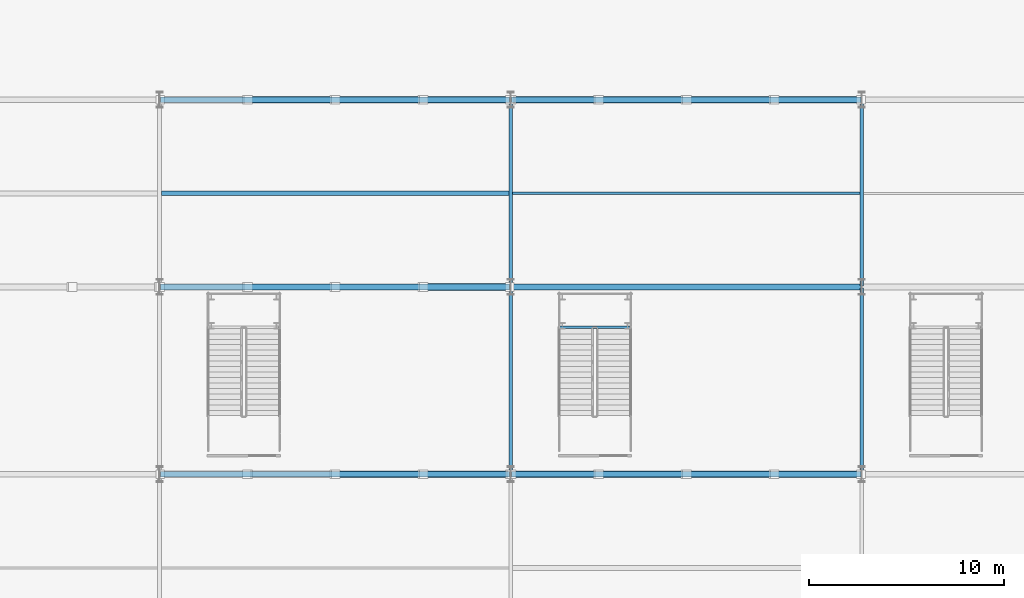
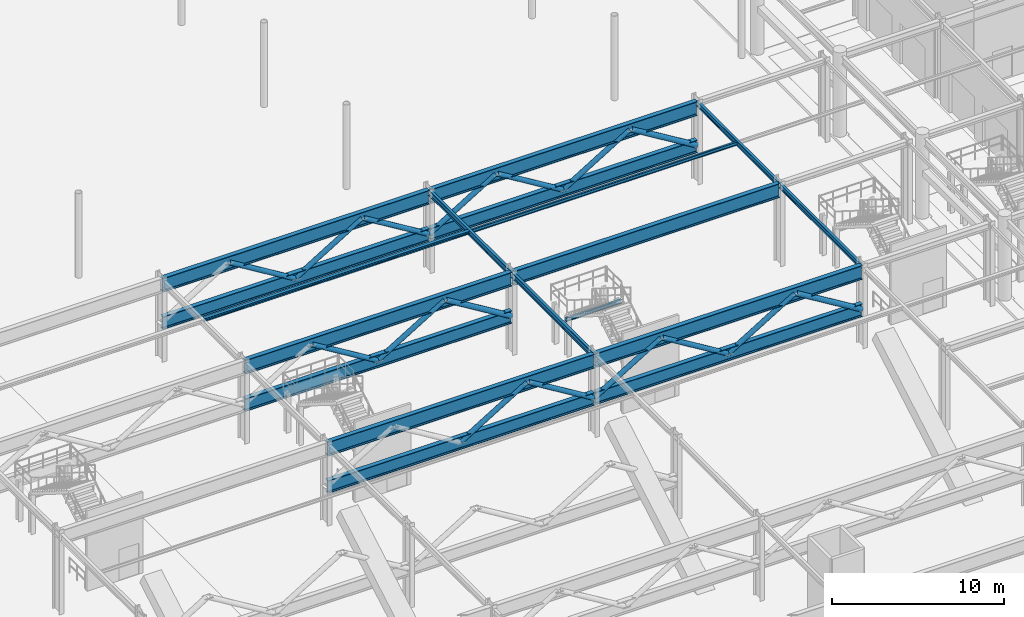
# One storey, part 37 of 113: 21 members, 13 beams.
"""IFC4 building model written with IfcOpenShell, lengths in metres."""

from ifc_helpers import new_model, si_unit, direction, frame, origin, origin_2d, place, context, subcontext, project, spatial, hollow_circle, i_section, extrude, material, material_profile, profile_set, type_object, element, save


model = new_model("IFC4")

# Units and contexts
model_context = context("Model", 3, precision=1e-05, world=origin(), true_north=direction((0.0, 1.0)))
body_context = subcontext(model_context, "Body", "Model", "MODEL_VIEW")
ifc_project = project(units=[si_unit("LENGTHUNIT", "METRE"), si_unit("AREAUNIT", "SQUARE_METRE"), si_unit("VOLUMEUNIT", "CUBIC_METRE"), si_unit("PLANEANGLEUNIT", "RADIAN"), si_unit("MASSUNIT", "GRAM", prefix="KILO")], contexts=[model_context])

# Site, building, storey
site_placement = place(None, origin())
site = spatial("IfcSite", under=ifc_project, at=site_placement, CompositionType="ELEMENT")
building_placement = place(site_placement, origin())
building = spatial("IfcBuilding", under=site, at=building_placement, Name="Myrtia Square Station", CompositionType="ELEMENT")
storey_placement = place(building_placement, origin())
storey = spatial("IfcBuildingStorey", under=building, at=storey_placement, Name="L00", CompositionType="ELEMENT", Elevation=0.0)

# Beams
ifc_material = material(Name="Steel S355", Category="steel")
ifc_material_profile_1 = material_profile(ifc_material, i_section(OverallWidth=0.135009765625, OverallDepth=0.27001953125, WebThickness=0.006591796875, FlangeThickness=0.01025390625, FilletRadius=0.014892578125, at=origin_2d()), Name="IPE 270")
ifc_profile_set_1 = profile_set([ifc_material_profile_1], Name="Steel S355")
beam_type_1 = type_object("IfcBeamType", Name="BM-IPE270", PredefinedType="BEAM", material=ifc_profile_set_1)
beam_1_placement = place(storey_placement, frame((47.43994140625, 74.739990234375, 2.6650390625), z_axis=(1.0, 0.0, 0.0), x_axis=(0.0, 1.0, 0.0)))
element("IfcBeam", 1, at=beam_1_placement, inside=storey, type_object=beam_type_1, Name="Interchange stair landing bearer 3", PredefinedType="BEAM", context=body_context, shape_type="SweptSolid", body=[
    extrude(i_section(OverallWidth=0.135009765625, OverallDepth=0.27001953125, WebThickness=0.006591796875, FlangeThickness=0.01025390625, FilletRadius=0.014892578125, at=origin_2d()), origin(), (0.0, 0.0, 1.0), 3.760009765625),
])
ifc_material_profile_2 = material_profile(ifc_material, i_section(OverallWidth=0.169921875, OverallDepth=0.360107421875, WebThickness=0.008056640625, FlangeThickness=0.0126953125, FilletRadius=0.01806640625, at=origin_2d()), Name="IPE 360")
ifc_profile_set_2 = profile_set([ifc_material_profile_2], Name="Steel S355")
beam_type_2 = type_object("IfcBeamType", Name="BM-IPE360", PredefinedType="BEAM", material=ifc_profile_set_2)
for number, where, z_axis, x_axis, name in (
    (2, (63.0, 67.25, 5.56005859375), (0.0, 1.0, 0.0), (-1.0, 0.0, 0.0), "Structural girder BMY-L00-0275"),
    (3, (63.0, 76.85009765625, 5.56005859375), (0.0, 1.0, 0.0), (-1.0, 0.0, 0.0), "Structural girder BMY-L00-0276"),
):
    element("IfcBeam", number, at=place(storey_placement, frame(where, z_axis=z_axis, x_axis=x_axis)), inside=storey, type_object=beam_type_2, Name=name, PredefinedType="BEAM", context=body_context, shape_type="SweptSolid", body=[
        extrude(i_section(OverallWidth=0.169921875, OverallDepth=0.360107421875, WebThickness=0.008056640625, FlangeThickness=0.0126953125, FilletRadius=0.01806640625, at=origin_2d()), origin(), (0.0, 0.0, 1.0), 9.5),
    ])
ifc_material_profile_3 = material_profile(ifc_material, i_section(OverallWidth=0.179931640625, OverallDepth=0.39990234375, WebThickness=0.008544921875, FlangeThickness=0.013427734375, FilletRadius=0.02099609375, at=origin_2d()), Name="IPE 400")
ifc_profile_set_3 = profile_set([ifc_material_profile_3], Name="Steel S355")
beam_type_3 = type_object("IfcBeamType", Name="BM-IPE400", PredefinedType="BEAM", material=ifc_profile_set_3)
for number, where, z_axis, x_axis, name in (
    (4, (45.0, 67.25, 5.5400390625), (0.0, 1.0, 0.0), (-1.0, 0.0, 0.0), "Structural girder BMY-L00-0270"),
    (5, (45.0, 76.85009765625, 5.5400390625), (0.0, 1.0, 0.0), (-1.0, 0.0, 0.0), "Structural girder BMY-L00-0271"),
):
    element("IfcBeam", number, at=place(storey_placement, frame(where, z_axis=z_axis, x_axis=x_axis)), inside=storey, type_object=beam_type_3, Name=name, PredefinedType="BEAM", context=body_context, shape_type="SweptSolid", body=[
        extrude(i_section(OverallWidth=0.179931640625, OverallDepth=0.39990234375, WebThickness=0.008544921875, FlangeThickness=0.013427734375, FilletRadius=0.02099609375, at=origin_2d()), origin(), (0.0, 0.0, 1.0), 9.5),
    ])

# Members
ifc_material_profile_4 = material_profile(ifc_material, hollow_circle(Radius=0.161865234375, WallThickness=0.01611328125, at=origin_2d()), Name="CHS 323.9x16")
ifc_profile_set_4 = profile_set([ifc_material_profile_4], Name="Steel S355")
member_type_1 = type_object("IfcMemberType", Name="BRC-CHS323", PredefinedType="BRACE", material=ifc_profile_set_4)
for number, where, z_axis, x_axis, name in (
    (6, (36.0400390625, 67.199951171875, 2.550048828125), (0.854236821944, 0.0, 0.519884075573), (0.0, 1.0, 0.0), "Over-track transfer truss 04 diagonal 3"),
    (7, (40.5400390625, 67.199951171875, 5.239990234375), (0.854236821944, 0.0, -0.519884075573), (0.0, 1.0, 0.0), "Over-track transfer truss 04 diagonal 4"),
    (8, (45.0400390625, 67.199951171875, 2.550048828125), (0.854236821944, 0.0, 0.519884075573), (0.0, 1.0, 0.0), "Over-track transfer truss 04 diagonal 5"),
    (9, (49.5400390625, 67.199951171875, 5.239990234375), (0.854236821944, 0.0, -0.519884075573), (0.0, 1.0, 0.0), "Over-track transfer truss 04 diagonal 6"),
    (10, (54.0400390625, 67.199951171875, 2.550048828125), (0.854236821944, 0.0, 0.519884075573), (0.0, 1.0, 0.0), "Over-track transfer truss 04 diagonal 7"),
    (11, (31.5400390625, 76.800048828125, 5.239990234375), (0.854236821944, 0.0, -0.519884075573), (0.0, 1.0, 0.0), "Over-track transfer truss 05 diagonal 6"),
    (12, (36.0400390625, 76.800048828125, 2.550048828125), (0.854236821944, 0.0, 0.519884075573), (0.0, 1.0, 0.0), "Over-track transfer truss 05 diagonal 7"),
    (13, (31.5400390625, 86.39990234375, 5.239990234375), (0.854236821944, 0.0, -0.519884075573), (0.0, 1.0, 0.0), "Over-track transfer truss 06 diagonal 2"),
    (14, (36.0400390625, 86.39990234375, 2.550048828125), (0.854236821944, 0.0, 0.519884075573), (0.0, 1.0, 0.0), "Over-track transfer truss 06 diagonal 3"),
    (15, (40.5400390625, 86.39990234375, 5.239990234375), (0.854236821944, 0.0, -0.519884075573), (0.0, 1.0, 0.0), "Over-track transfer truss 06 diagonal 4"),
    (16, (45.0400390625, 86.39990234375, 2.550048828125), (0.854236821944, 0.0, 0.519884075573), (0.0, 1.0, 0.0), "Over-track transfer truss 06 diagonal 5"),
    (17, (49.5400390625, 86.39990234375, 5.239990234375), (0.854236821944, 0.0, -0.519884075573), (0.0, 1.0, 0.0), "Over-track transfer truss 06 diagonal 6"),
    (18, (54.0400390625, 86.39990234375, 2.550048828125), (0.854236821944, 0.0, 0.519884075573), (0.0, 1.0, 0.0), "Over-track transfer truss 06 diagonal 7"),
):
    element("IfcMember", number, at=place(storey_placement, frame(where, z_axis=z_axis, x_axis=x_axis)), inside=storey, type_object=member_type_1, Name=name, PredefinedType="BRACE", context=body_context, shape_type="SweptSolid", body=[
        extrude(hollow_circle(Radius=0.161865234375, WallThickness=0.01611328125, at=origin_2d()), origin(), (0.0, 0.0, 1.0), 5.174072265625),
    ])
ifc_material_profile_5 = material_profile(ifc_material, hollow_circle(Radius=0.177734375, WallThickness=0.02001953125, at=origin_2d()), Name="CHS 355.6x20")
ifc_profile_set_5 = profile_set([ifc_material_profile_5], Name="Steel S355")
member_type_2 = type_object("IfcMemberType", Name="BRC-CHS355", PredefinedType="BRACE", material=ifc_profile_set_5)
for number, where, z_axis, x_axis, name in (
    (19, (58.5400390625, 67.199951171875, 5.239990234375), (0.854236821944, 0.0, -0.519884075573), (0.0, 1.0, 0.0), "Over-track transfer truss 04 diagonal 8"),
    (20, (40.5400390625, 76.800048828125, 5.239990234375), (0.854236821944, 0.0, -0.519884075573), (0.0, 1.0, 0.0), "Over-track transfer truss 05 diagonal 8"),
    (21, (58.5400390625, 86.39990234375, 5.239990234375), (0.854236821944, 0.0, -0.519884075573), (0.0, 1.0, 0.0), "Over-track transfer truss 06 diagonal 8"),
):
    element("IfcMember", number, at=place(storey_placement, frame(where, z_axis=z_axis, x_axis=x_axis)), inside=storey, type_object=member_type_2, Name=name, PredefinedType="BRACE", context=body_context, shape_type="SweptSolid", body=[
        extrude(hollow_circle(Radius=0.177734375, WallThickness=0.02001953125, at=origin_2d()), origin(), (0.0, 0.0, 1.0), 5.174072265625),
    ])
ifc_material_profile_6 = material_profile(ifc_material, i_section(OverallWidth=0.300048828125, OverallDepth=0.89990234375, WebThickness=0.0185546875, FlangeThickness=0.034912109375, FilletRadius=0.030029296875, at=origin_2d()), Name="HEB 900")
ifc_profile_set_6 = profile_set([ifc_material_profile_6], Name="Steel S355")
member_type_3 = type_object("IfcMemberType", Name="CHD-HEB900", PredefinedType="CHORD", material=ifc_profile_set_6)
for number, where, z_axis, x_axis, name in (
    (22, (27.050048828125, 67.199951171875, 2.550048828125), (1.0, 0.0, 0.0), (0.0, 1.0, 0.0), "Over-track transfer truss 04 bottom chord 1"),
    (23, (45.050048828125, 67.199951171875, 2.550048828125), (1.0, 0.0, 0.0), (0.0, 1.0, 0.0), "Over-track transfer truss 04 bottom chord 2"),
    (24, (27.050048828125, 76.800048828125, 2.550048828125), (1.0, 0.0, 0.0), (0.0, 1.0, 0.0), "Over-track transfer truss 05 bottom chord 2"),
    (25, (27.050048828125, 86.39990234375, 2.550048828125), (1.0, 0.0, 0.0), (0.0, 1.0, 0.0), "Over-track transfer truss 06 bottom chord 1"),
    (26, (45.050048828125, 86.39990234375, 2.550048828125), (1.0, 0.0, 0.0), (0.0, 1.0, 0.0), "Over-track transfer truss 06 bottom chord 2"),
):
    element("IfcMember", number, at=place(storey_placement, frame(where, z_axis=z_axis, x_axis=x_axis)), inside=storey, type_object=member_type_3, Name=name, PredefinedType="CHORD", context=body_context, shape_type="SweptSolid", body=[
        extrude(i_section(OverallWidth=0.300048828125, OverallDepth=0.89990234375, WebThickness=0.0185546875, FlangeThickness=0.034912109375, FilletRadius=0.030029296875, at=origin_2d()), origin(), (0.0, 0.0, 1.0), 17.89990234375),
    ])

# Beams
ifc_material_profile_7 = material_profile(ifc_material, i_section(OverallWidth=0.219970703125, OverallDepth=0.2099609375, WebThickness=0.007080078125, FlangeThickness=0.010986328125, FilletRadius=0.01806640625, at=origin_2d()), Name="HEA 220")
ifc_profile_set_7 = profile_set([ifc_material_profile_7], Name="Steel S355")
beam_type_4 = type_object("IfcBeamType", Name="JST-HEA220", PredefinedType="JOIST", material=ifc_profile_set_7)
beam_2_placement = place(storey_placement, frame((27.094970703125, 81.60009765625, 5.635009765625), z_axis=(1.0, 0.0, 0.0), x_axis=(0.0, 1.0, 0.0)))
element("IfcBeam", 27, at=beam_2_placement, inside=storey, type_object=beam_type_4, Name="Composite floor joist L00-0004", PredefinedType="JOIST", context=body_context, shape_type="SweptSolid", body=[
    extrude(i_section(OverallWidth=0.219970703125, OverallDepth=0.2099609375, WebThickness=0.007080078125, FlangeThickness=0.010986328125, FilletRadius=0.01806640625, at=origin_2d()), origin(), (0.0, 0.0, 1.0), 17.81494140625),
])
ifc_material_profile_8 = material_profile(ifc_material, i_section(OverallWidth=0.1201171875, OverallDepth=0.239990234375, WebThickness=0.006103515625, FlangeThickness=0.009765625, FilletRadius=0.014892578125, at=origin_2d()), Name="IPE 240")
ifc_profile_set_8 = profile_set([ifc_material_profile_8], Name="Steel S355")
beam_type_5 = type_object("IfcBeamType", Name="JST-IPE240", PredefinedType="JOIST", material=ifc_profile_set_8)
beam_3_placement = place(storey_placement, frame((45.090087890625, 81.60009765625, 5.6201171875), z_axis=(1.0, 0.0, 0.0), x_axis=(0.0, 1.0, 0.0)))
element("IfcBeam", 28, at=beam_3_placement, inside=storey, type_object=beam_type_5, Name="Composite floor joist L00-0006", PredefinedType="JOIST", context=body_context, shape_type="SweptSolid", body=[
    extrude(i_section(OverallWidth=0.1201171875, OverallDepth=0.239990234375, WebThickness=0.006103515625, FlangeThickness=0.009765625, FilletRadius=0.014892578125, at=origin_2d()), origin(), (0.0, 0.0, 1.0), 17.824951171875),
])
ifc_material_profile_9 = material_profile(ifc_material, i_section(OverallWidth=0.300048828125, OverallDepth=1.0, WebThickness=0.01904296875, FlangeThickness=0.035888671875, FilletRadius=0.030029296875, at=origin_2d()), Name="HEB 1000")
ifc_profile_set_9 = profile_set([ifc_material_profile_9], Name="Steel S355")
beam_type_6 = type_object("IfcBeamType", Name="TG-HEB1000", PredefinedType="USERDEFINED", material=ifc_profile_set_9)
for number, where, z_axis, x_axis, name in (
    (29, (27.050048828125, 67.199951171875, 5.239990234375), (1.0, 0.0, 0.0), (0.0, 1.0, 0.0), "Structural girder TG-L00-0072"),
    (30, (45.050048828125, 67.199951171875, 5.239990234375), (1.0, 0.0, 0.0), (0.0, 1.0, 0.0), "Structural girder TG-L00-0073"),
    (31, (27.050048828125, 76.800048828125, 5.239990234375), (1.0, 0.0, 0.0), (0.0, 1.0, 0.0), "Structural girder TG-L00-0075"),
    (32, (45.050048828125, 76.800048828125, 5.239990234375), (1.0, 0.0, 0.0), (0.0, 1.0, 0.0), "Structural girder TG-L00-0076"),
    (33, (27.050048828125, 86.39990234375, 5.239990234375), (1.0, 0.0, 0.0), (0.0, 1.0, 0.0), "Structural girder TG-L00-0078"),
    (34, (45.050048828125, 86.39990234375, 5.239990234375), (1.0, 0.0, 0.0), (0.0, 1.0, 0.0), "Structural girder TG-L00-0079"),
):
    element("IfcBeam", number, at=place(storey_placement, frame(where, z_axis=z_axis, x_axis=x_axis)), inside=storey, type_object=beam_type_6, Name=name, ObjectType="TRANSFER GIRDER", PredefinedType="USERDEFINED", context=body_context, shape_type="SweptSolid", body=[
        extrude(i_section(OverallWidth=0.300048828125, OverallDepth=1.0, WebThickness=0.01904296875, FlangeThickness=0.035888671875, FilletRadius=0.030029296875, at=origin_2d()), origin(), (0.0, 0.0, 1.0), 17.89990234375),
    ])

save(model, "model.ifc")
